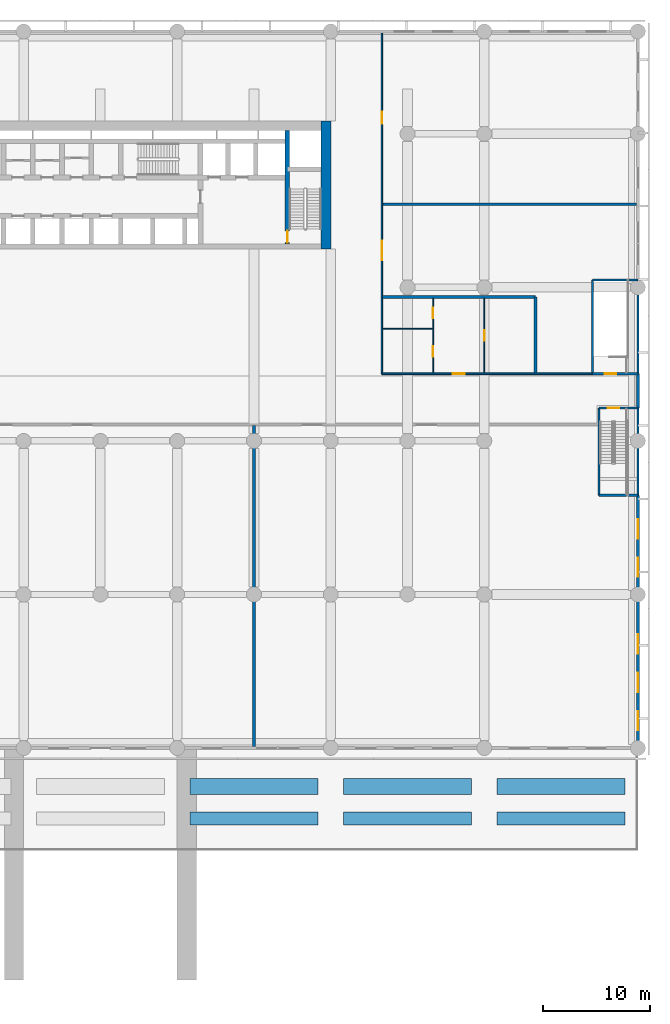
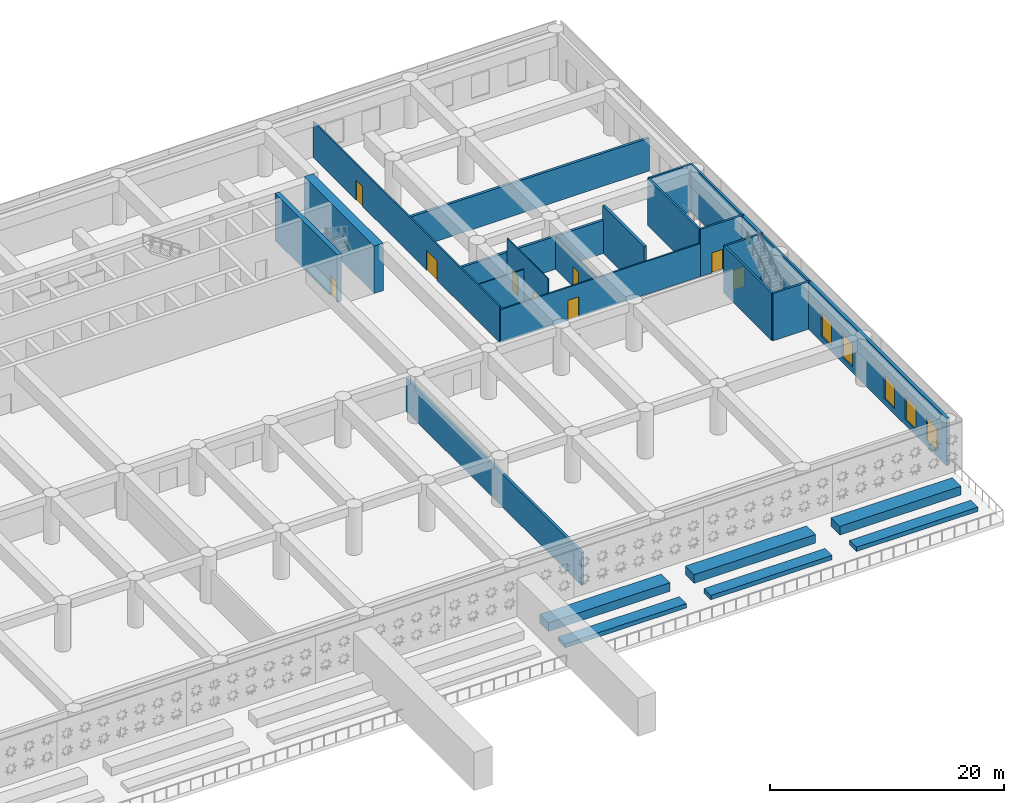
# One storey, part 6 of 24: 27 walls, 9 doors, 5 windows, 14 openings.
"""IFC4 building model written with IfcOpenShell, lengths in metres."""

from ifc_helpers import new_model, si_unit, direction, frame, frame_2d, origin, place, context, subcontext, project, spatial, rectangle, extrude, material, layer, layer_set, type_object, element, fill, save


model = new_model("IFC4")

# Units and contexts
model_context = context("Model", 3, precision=1e-05, world=origin(), true_north=direction((0.0, 1.0)))
body_context = subcontext(model_context, "Body", "Model", "MODEL_VIEW")
ifc_project = project(units=[si_unit("LENGTHUNIT", "METRE"), si_unit("AREAUNIT", "SQUARE_METRE"), si_unit("VOLUMEUNIT", "CUBIC_METRE"), si_unit("PLANEANGLEUNIT", "RADIAN"), si_unit("MASSUNIT", "GRAM", prefix="KILO")], contexts=[model_context])

# Site, building, storey
site_placement = place(None, origin())
site = spatial("IfcSite", under=ifc_project, at=site_placement, CompositionType="ELEMENT")
building_placement = place(site_placement, origin())
building = spatial("IfcBuilding", under=site, at=building_placement, Name="Saffron Iwan Residences", CompositionType="ELEMENT")
storey_placement = place(building_placement, frame((0.0, 0.0, 21.60009765625)))
storey = spatial("IfcBuildingStorey", under=building, at=storey_placement, Name="L04", CompositionType="ELEMENT", Elevation=21.60009765625)

# Wall, opening, door
ifc_material_1 = material(Name="Concrete blockwork", Category="masonry")
ifc_layer_1 = layer(ifc_material_1, 0.14990234375)
ifc_layer_set_1 = layer_set([ifc_layer_1], Name="Concrete blockwork")
wall_type_1 = type_object("IfcWallType", Name="Blockwork partition 150", PredefinedType="PARTITIONING", material=ifc_layer_set_1)
wall_1_placement = place(storey_placement, frame((76.800048828125, 54.300048828125, 0.0), z_axis=(0.0, 0.0, 1.0), x_axis=(1.0, 0.0, 0.0)))
wall_1 = element("IfcWall", 1, at=wall_1_placement, inside=storey, type_object=wall_type_1, Name="W-L04-008", PredefinedType="PARTITIONING", context=body_context, shape_type="SweptSolid", body=[
    extrude(rectangle(XDim=19.75, YDim=0.14990234375, at=frame_2d((9.875, 0.0))), origin(), (0.0, 0.0, 1.0), 3.449951171875),
])
opening_1_placement = place(wall_1_placement, frame((6.64990234375, 0.0, 0.0)))
opening_1 = element("IfcOpeningElement", 2, at=opening_1_placement, cuts=wall_1, Name="Opening L04.14", PredefinedType="OPENING", context=body_context, shape_type="SweptSolid", body=[
    extrude(rectangle(XDim=1.10009765625, YDim=2.10009765625, at=frame_2d((0.550048828125, 1.050048828125))), frame((0.0, 0.0849609375, 0.0), z_axis=(0.0, -1.0, 0.0), x_axis=(1.0, 0.0, 0.0)), (0.0, 0.0, 1.0), 0.169921875),
])
ifc_material_2 = material(Name="Timber", Category="wood")
door_type_1 = type_object("IfcDoorType", Name="Door 1100x2100", OperationType="NOTDEFINED", PredefinedType="DOOR", material=ifc_material_2)
door_1_placement = place(opening_1_placement, origin())
door_1 = element("IfcDoor", 3, at=door_1_placement, inside=storey, type_object=door_type_1, Name="D-L04-014", OperationType="SINGLE_SWING_LEFT", OverallHeight=2.10009765625, OverallWidth=1.10009765625, PredefinedType="DOOR", context=body_context, shape_type="SweptSolid", body=[
    extrude(rectangle(XDim=1.10009765625, YDim=2.10009765625, at=frame_2d((0.550048828125, 1.050048828125))), frame((0.0, 0.02490234375, 0.0), z_axis=(0.0, -1.0, 0.0), x_axis=(1.0, 0.0, 0.0)), (0.0, 0.0, 1.0), 0.050048828125),
])
fill(opening_1, door_1)

# Wall, openings, doors
wall_2_placement = place(storey_placement, frame((76.800048828125, 54.300048828125, 0.0), z_axis=(0.0, 0.0, 1.0), x_axis=(0.0, 1.0, 0.0)))
wall_2 = element("IfcWall", 4, at=wall_2_placement, inside=storey, type_object=wall_type_1, Name="W-L04-028", PredefinedType="PARTITIONING", context=body_context, shape_type="SweptSolid", body=[
    extrude(rectangle(XDim=31.949951171875, YDim=0.14990234375, at=frame_2d((15.97509765625, 0.0))), origin(), (0.0, 0.0, 1.0), 3.75),
])
opening_2_placement = place(wall_2_placement, frame((10.64990234375, 0.0, 0.0)))
opening_2 = element("IfcOpeningElement", 5, at=opening_2_placement, cuts=wall_2, Name="Opening L04.09", PredefinedType="OPENING", context=body_context, shape_type="SweptSolid", body=[
    extrude(rectangle(XDim=1.800048828125, YDim=2.10009765625, at=frame_2d((0.89990234375, 1.050048828125))), frame((0.0, 0.0849609375, 0.0), z_axis=(0.0, -1.0, 0.0), x_axis=(1.0, 0.0, 0.0)), (0.0, 0.0, 1.0), 0.169921875),
])
opening_3_placement = place(wall_2_placement, frame((23.449951171875, 0.0, 0.0)))
opening_3 = element("IfcOpeningElement", 6, at=opening_3_placement, cuts=wall_2, Name="Opening L04.10", PredefinedType="OPENING", context=body_context, shape_type="SweptSolid", body=[
    extrude(rectangle(XDim=1.10009765625, YDim=2.10009765625, at=frame_2d((0.550048828125, 1.050048828125))), frame((0.0, 0.0849609375, 0.0), z_axis=(0.0, -1.0, 0.0), x_axis=(1.0, 0.0, 0.0)), (0.0, 0.0, 1.0), 0.169921875),
])
door_2_placement = place(opening_3_placement, origin())
door_2 = element("IfcDoor", 7, at=door_2_placement, inside=storey, type_object=door_type_1, Name="D-L04-010", OperationType="SINGLE_SWING_RIGHT", OverallHeight=2.10009765625, OverallWidth=1.10009765625, PredefinedType="DOOR", context=body_context, shape_type="SweptSolid", body=[
    extrude(rectangle(XDim=1.10009765625, YDim=2.10009765625, at=frame_2d((0.550048828125, 1.050048828125))), frame((0.0, 0.02490234375, 0.0), z_axis=(0.0, -1.0, 0.0), x_axis=(1.0, 0.0, 0.0)), (0.0, 0.0, 1.0), 0.050048828125),
])
fill(opening_3, door_2)
door_type_2 = type_object("IfcDoorType", Name="Door 1800x2100", OperationType="DOUBLE_DOOR_SINGLE_SWING", PredefinedType="DOOR", material=ifc_material_2)
door_3_placement = place(opening_2_placement, origin())
door_3 = element("IfcDoor", 8, at=door_3_placement, inside=storey, type_object=door_type_2, Name="D-L04-009", OperationType="DOUBLE_DOOR_SINGLE_SWING", OverallHeight=2.10009765625, OverallWidth=1.800048828125, PredefinedType="DOOR", context=body_context, shape_type="SweptSolid", body=[
    extrude(rectangle(XDim=1.800048828125, YDim=2.10009765625, at=frame_2d((0.89990234375, 1.050048828125))), frame((0.0, 0.02490234375, 0.0), z_axis=(0.0, -1.0, 0.0), x_axis=(1.0, 0.0, 0.0)), (0.0, 0.0, 1.0), 0.050048828125),
])
fill(opening_2, door_3)

# Walls
ifc_material_3 = material(Name="Concrete C40/50", Category="concrete")
ifc_layer_2 = layer(ifc_material_3, 0.25)
ifc_layer_set_2 = layer_set([ifc_layer_2], Name="Concrete C40/50")
wall_type_2 = type_object("IfcWallType", Name="Fire compartment wall 250", PredefinedType="SOLIDWALL", material=ifc_layer_set_2)
wall_3_placement = place(storey_placement, frame((76.875, 61.5, 0.0), z_axis=(0.0, 0.0, 1.0), x_axis=(1.0, 0.0, 0.0)))
element("IfcWall", 9, at=wall_3_placement, inside=storey, type_object=wall_type_2, Name="W-L04-012", PredefinedType="SOLIDWALL", context=body_context, shape_type="SweptSolid", body=[
    extrude(rectangle(XDim=14.324951171875, YDim=0.25, at=frame_2d((7.16259765625, 0.0))), origin(), (0.0, 0.0, 1.0), 3.449951171875),
])
wall_4_placement = place(storey_placement, frame((76.875, 70.199951171875, 0.0), z_axis=(0.0, 0.0, 1.0), x_axis=(1.0, 0.0, 0.0)))
element("IfcWall", 10, at=wall_4_placement, inside=storey, type_object=wall_type_2, Name="W-L04-016", PredefinedType="SOLIDWALL", context=body_context, shape_type="SweptSolid", body=[
    extrude(rectangle(XDim=23.77490234375, YDim=0.25, at=frame_2d((11.887451171875, 0.0))), origin(), (0.0, 0.0, 1.0), 3.449951171875),
])
wall_5_placement = place(storey_placement, frame((64.800048828125, 19.35009765625, 0.0), z_axis=(0.0, 0.0, 1.0), x_axis=(0.0, 1.0, 0.0)))
element("IfcWall", 11, at=wall_5_placement, inside=storey, type_object=wall_type_2, Name="W-L04-027", PredefinedType="SOLIDWALL", context=body_context, shape_type="SweptSolid", body=[
    extrude(rectangle(XDim=30.074951171875, YDim=0.25, at=frame_2d((15.03759765625, 0.0))), origin(), (0.0, 0.0, 1.0), 3.449951171875),
])
wall_6_placement = place(storey_placement, frame((91.199951171875, 54.375, 0.0), z_axis=(0.0, 0.0, 1.0), x_axis=(0.0, 1.0, 0.0)))
element("IfcWall", 12, at=wall_6_placement, inside=storey, type_object=wall_type_2, Name="W-L04-031", PredefinedType="SOLIDWALL", context=body_context, shape_type="SweptSolid", body=[
    extrude(rectangle(XDim=7.125, YDim=0.25, at=frame_2d((3.5625, 0.0))), origin(), (0.0, 0.0, 1.0), 4.949951171875),
])
ifc_material_4 = material(Name="Plasterboard")
ifc_layer_3 = layer(ifc_material_4, 0.10009765625)
ifc_layer_set_3 = layer_set([ifc_layer_3], Name="Plasterboard")
wall_type_3 = type_object("IfcWallType", Name="Plasterboard partition 100", PredefinedType="PARTITIONING", material=ifc_layer_set_3)
wall_7_placement = place(storey_placement, frame((76.875, 58.5, 0.0), z_axis=(0.0, 0.0, 1.0), x_axis=(1.0, 0.0, 0.0)))
element("IfcWall", 13, at=wall_7_placement, inside=storey, type_object=wall_type_3, Name="W-L04-011", PredefinedType="PARTITIONING", context=body_context, shape_type="SweptSolid", body=[
    extrude(rectangle(XDim=4.675048828125, YDim=0.10009765625, at=frame_2d((2.33740234375, 0.0))), origin(), (0.0, 0.0, 1.0), 3.449951171875),
])

# Wall, openings, doors
wall_8_placement = place(storey_placement, frame((81.60009765625, 54.375, 0.0), z_axis=(0.0, 0.0, 1.0), x_axis=(0.0, 1.0, 0.0)))
wall_8 = element("IfcWall", 14, at=wall_8_placement, inside=storey, type_object=wall_type_3, Name="W-L04-029", PredefinedType="PARTITIONING", context=body_context, shape_type="SweptSolid", body=[
    extrude(rectangle(XDim=7.0, YDim=0.10009765625, at=frame_2d((3.5, 0.0))), origin(), (0.0, 0.0, 1.0), 4.949951171875),
])
opening_4_placement = place(wall_8_placement, frame((1.52490234375, 0.0, 0.0)))
opening_4 = element("IfcOpeningElement", 15, at=opening_4_placement, cuts=wall_8, Name="Opening L04.11", PredefinedType="OPENING", context=body_context, shape_type="SweptSolid", body=[
    extrude(rectangle(XDim=1.0, YDim=2.10009765625, at=frame_2d((0.5, 1.050048828125))), frame((0.0, 0.06005859375, 0.0), z_axis=(0.0, -1.0, 0.0), x_axis=(1.0, 0.0, 0.0)), (0.0, 0.0, 1.0), 0.1201171875),
])
opening_5_placement = place(wall_8_placement, frame((5.125, 0.0, 0.0)))
opening_5 = element("IfcOpeningElement", 16, at=opening_5_placement, cuts=wall_8, Name="Opening L04.12", PredefinedType="OPENING", context=body_context, shape_type="SweptSolid", body=[
    extrude(rectangle(XDim=1.0, YDim=2.10009765625, at=frame_2d((0.5, 1.050048828125))), frame((0.0, 0.06005859375, 0.0), z_axis=(0.0, -1.0, 0.0), x_axis=(1.0, 0.0, 0.0)), (0.0, 0.0, 1.0), 0.1201171875),
])
door_type_3 = type_object("IfcDoorType", Name="Door 1000x2100", OperationType="NOTDEFINED", PredefinedType="DOOR", material=ifc_material_2)
door_4_placement = place(opening_4_placement, origin())
door_4 = element("IfcDoor", 17, at=door_4_placement, inside=storey, type_object=door_type_3, Name="D-L04-011", OperationType="SINGLE_SWING_LEFT", OverallHeight=2.10009765625, OverallWidth=1.0, PredefinedType="DOOR", context=body_context, shape_type="SweptSolid", body=[
    extrude(rectangle(XDim=1.0, YDim=2.10009765625, at=frame_2d((0.5, 1.050048828125))), frame((0.0, 0.02490234375, 0.0), z_axis=(0.0, -1.0, 0.0), x_axis=(1.0, 0.0, 0.0)), (0.0, 0.0, 1.0), 0.050048828125),
])
fill(opening_4, door_4)
door_5_placement = place(opening_5_placement, origin())
door_5 = element("IfcDoor", 18, at=door_5_placement, inside=storey, type_object=door_type_3, Name="D-L04-012", OperationType="SINGLE_SWING_RIGHT", OverallHeight=2.10009765625, OverallWidth=1.0, PredefinedType="DOOR", context=body_context, shape_type="SweptSolid", body=[
    extrude(rectangle(XDim=1.0, YDim=2.10009765625, at=frame_2d((0.5, 1.050048828125))), frame((0.0, 0.02490234375, 0.0), z_axis=(0.0, -1.0, 0.0), x_axis=(1.0, 0.0, 0.0)), (0.0, 0.0, 1.0), 0.050048828125),
])
fill(opening_5, door_5)

# Wall, opening, door
wall_9_placement = place(storey_placement, frame((86.39990234375, 54.375, 0.0), z_axis=(0.0, 0.0, 1.0), x_axis=(0.0, 1.0, 0.0)))
wall_9 = element("IfcWall", 19, at=wall_9_placement, inside=storey, type_object=wall_type_3, Name="W-L04-030", PredefinedType="PARTITIONING", context=body_context, shape_type="SweptSolid", body=[
    extrude(rectangle(XDim=7.0, YDim=0.10009765625, at=frame_2d((3.5, 0.0))), origin(), (0.0, 0.0, 1.0), 3.449951171875),
])
opening_6_placement = place(wall_9_placement, frame((3.02490234375, 0.0, 0.0)))
opening_6 = element("IfcOpeningElement", 20, at=opening_6_placement, cuts=wall_9, Name="Opening L04.13", PredefinedType="OPENING", context=body_context, shape_type="SweptSolid", body=[
    extrude(rectangle(XDim=1.0, YDim=2.10009765625, at=frame_2d((0.5, 1.050048828125))), frame((0.0, 0.06005859375, 0.0), z_axis=(0.0, -1.0, 0.0), x_axis=(1.0, 0.0, 0.0)), (0.0, 0.0, 1.0), 0.1201171875),
])
door_6_placement = place(opening_6_placement, origin())
door_6 = element("IfcDoor", 21, at=door_6_placement, inside=storey, type_object=door_type_3, Name="D-L04-013", OperationType="SINGLE_SWING_RIGHT", OverallHeight=2.10009765625, OverallWidth=1.0, PredefinedType="DOOR", context=body_context, shape_type="SweptSolid", body=[
    extrude(rectangle(XDim=1.0, YDim=2.10009765625, at=frame_2d((0.5, 1.050048828125))), frame((0.0, 0.02490234375, 0.0), z_axis=(0.0, -1.0, 0.0), x_axis=(1.0, 0.0, 0.0)), (0.0, 0.0, 1.0), 0.050048828125),
])
fill(opening_6, door_6)

# Wall, openings, windows
ifc_material_5 = material(Name="Precast concrete C40/50", Category="concrete")
ifc_layer_4 = layer(ifc_material_5, 0.300048828125)
ifc_layer_set_4 = layer_set([ifc_layer_4], Name="Precast concrete C40/50")
wall_type_4 = type_object("IfcWallType", Name="Podium external wall 300", PredefinedType="SOLIDWALL", material=ifc_layer_set_4)
wall_10_placement = place(storey_placement, frame((100.800048828125, 19.199951171875, 0.0), z_axis=(0.0, 0.0, 1.0), x_axis=(0.0, 1.0, 0.0)))
wall_10 = element("IfcWall", 22, at=wall_10_placement, inside=storey, type_object=wall_type_4, Name="W-L04-034", PredefinedType="SOLIDWALL", context=body_context, shape_type="SweptSolid", body=[
    extrude(rectangle(XDim=23.699951171875, YDim=0.300048828125, at=frame_2d((11.85009765625, 0.0))), origin(), (0.0, 0.0, 1.0), 4.949951171875),
])
opening_7_placement = place(wall_10_placement, frame((1.64990234375, 0.0, 0.60009765625)))
opening_7 = element("IfcOpeningElement", 23, at=opening_7_placement, cuts=wall_10, Name="Opening W7", PredefinedType="OPENING", context=body_context, shape_type="SweptSolid", body=[
    extrude(rectangle(XDim=1.800048828125, YDim=2.39990234375, at=frame_2d((0.89990234375, 1.199951171875))), frame((0.0, 0.16015625, 0.0), z_axis=(0.0, -1.0, 0.0), x_axis=(1.0, 0.0, 0.0)), (0.0, 0.0, 1.0), 0.320068359375),
])
opening_8_placement = place(wall_10_placement, frame((5.25, 0.0, 0.60009765625)))
opening_8 = element("IfcOpeningElement", 24, at=opening_8_placement, cuts=wall_10, Name="Opening W7", PredefinedType="OPENING", context=body_context, shape_type="SweptSolid", body=[
    extrude(rectangle(XDim=1.800048828125, YDim=2.39990234375, at=frame_2d((0.89990234375, 1.199951171875))), frame((0.0, 0.16015625, 0.0), z_axis=(0.0, -1.0, 0.0), x_axis=(1.0, 0.0, 0.0)), (0.0, 0.0, 1.0), 0.320068359375),
])
opening_9_placement = place(wall_10_placement, frame((8.85009765625, 0.0, 0.60009765625)))
opening_9 = element("IfcOpeningElement", 25, at=opening_9_placement, cuts=wall_10, Name="Opening W7", PredefinedType="OPENING", context=body_context, shape_type="SweptSolid", body=[
    extrude(rectangle(XDim=1.800048828125, YDim=2.39990234375, at=frame_2d((0.89990234375, 1.199951171875))), frame((0.0, 0.16015625, 0.0), z_axis=(0.0, -1.0, 0.0), x_axis=(1.0, 0.0, 0.0)), (0.0, 0.0, 1.0), 0.320068359375),
])
opening_10_placement = place(wall_10_placement, frame((16.050048828125, 0.0, 0.60009765625)))
opening_10 = element("IfcOpeningElement", 26, at=opening_10_placement, cuts=wall_10, Name="Opening W7", PredefinedType="OPENING", context=body_context, shape_type="SweptSolid", body=[
    extrude(rectangle(XDim=1.800048828125, YDim=2.39990234375, at=frame_2d((0.89990234375, 1.199951171875))), frame((0.0, 0.16015625, 0.0), z_axis=(0.0, -1.0, 0.0), x_axis=(1.0, 0.0, 0.0)), (0.0, 0.0, 1.0), 0.320068359375),
])
opening_11_placement = place(wall_10_placement, frame((19.64990234375, 0.0, 0.60009765625)))
opening_11 = element("IfcOpeningElement", 27, at=opening_11_placement, cuts=wall_10, Name="Opening W7", PredefinedType="OPENING", context=body_context, shape_type="SweptSolid", body=[
    extrude(rectangle(XDim=1.800048828125, YDim=2.39990234375, at=frame_2d((0.89990234375, 1.199951171875))), frame((0.0, 0.16015625, 0.0), z_axis=(0.0, -1.0, 0.0), x_axis=(1.0, 0.0, 0.0)), (0.0, 0.0, 1.0), 0.320068359375),
])
ifc_material_6 = material(Name="Clear glass, laminated double glazed", Category="glass")
window_type = type_object("IfcWindowType", Name="WINDOW 1800 x 2400 PODIUM", PartitioningType="DOUBLE_PANEL_VERTICAL", PredefinedType="WINDOW", material=ifc_material_6)
window_1_placement = place(opening_7_placement, origin())
window_1 = element("IfcWindow", 28, at=window_1_placement, inside=storey, type_object=window_type, Name="Window L04 W-L04-034.0", OverallHeight=2.39990234375, OverallWidth=1.800048828125, PartitioningType="DOUBLE_PANEL_VERTICAL", PredefinedType="WINDOW", context=body_context, shape_type="SweptSolid", body=[
    extrude(rectangle(XDim=1.800048828125, YDim=2.39990234375, at=frame_2d((0.89990234375, 1.199951171875))), frame((0.0, 0.030029296875, 0.0), z_axis=(0.0, -1.0, 0.0), x_axis=(1.0, 0.0, 0.0)), (0.0, 0.0, 1.0), 0.06005859375),
])
fill(opening_7, window_1)
window_2_placement = place(opening_8_placement, origin())
window_2 = element("IfcWindow", 29, at=window_2_placement, inside=storey, type_object=window_type, Name="Window L04 W-L04-034.1", OverallHeight=2.39990234375, OverallWidth=1.800048828125, PartitioningType="DOUBLE_PANEL_VERTICAL", PredefinedType="WINDOW", context=body_context, shape_type="SweptSolid", body=[
    extrude(rectangle(XDim=1.800048828125, YDim=2.39990234375, at=frame_2d((0.89990234375, 1.199951171875))), frame((0.0, 0.030029296875, 0.0), z_axis=(0.0, -1.0, 0.0), x_axis=(1.0, 0.0, 0.0)), (0.0, 0.0, 1.0), 0.06005859375),
])
fill(opening_8, window_2)
window_3_placement = place(opening_9_placement, origin())
window_3 = element("IfcWindow", 30, at=window_3_placement, inside=storey, type_object=window_type, Name="Window L04 W-L04-034.2", OverallHeight=2.39990234375, OverallWidth=1.800048828125, PartitioningType="DOUBLE_PANEL_VERTICAL", PredefinedType="WINDOW", context=body_context, shape_type="SweptSolid", body=[
    extrude(rectangle(XDim=1.800048828125, YDim=2.39990234375, at=frame_2d((0.89990234375, 1.199951171875))), frame((0.0, 0.030029296875, 0.0), z_axis=(0.0, -1.0, 0.0), x_axis=(1.0, 0.0, 0.0)), (0.0, 0.0, 1.0), 0.06005859375),
])
fill(opening_9, window_3)
window_4_placement = place(opening_10_placement, origin())
window_4 = element("IfcWindow", 31, at=window_4_placement, inside=storey, type_object=window_type, Name="Window L04 W-L04-034.3", OverallHeight=2.39990234375, OverallWidth=1.800048828125, PartitioningType="DOUBLE_PANEL_VERTICAL", PredefinedType="WINDOW", context=body_context, shape_type="SweptSolid", body=[
    extrude(rectangle(XDim=1.800048828125, YDim=2.39990234375, at=frame_2d((0.89990234375, 1.199951171875))), frame((0.0, 0.030029296875, 0.0), z_axis=(0.0, -1.0, 0.0), x_axis=(1.0, 0.0, 0.0)), (0.0, 0.0, 1.0), 0.06005859375),
])
fill(opening_10, window_4)
window_5_placement = place(opening_11_placement, origin())
window_5 = element("IfcWindow", 32, at=window_5_placement, inside=storey, type_object=window_type, Name="Window L04 W-L04-034.4", OverallHeight=2.39990234375, OverallWidth=1.800048828125, PartitioningType="DOUBLE_PANEL_VERTICAL", PredefinedType="WINDOW", context=body_context, shape_type="SweptSolid", body=[
    extrude(rectangle(XDim=1.800048828125, YDim=2.39990234375, at=frame_2d((0.89990234375, 1.199951171875))), frame((0.0, 0.030029296875, 0.0), z_axis=(0.0, -1.0, 0.0), x_axis=(1.0, 0.0, 0.0)), (0.0, 0.0, 1.0), 0.06005859375),
])
fill(opening_11, window_5)

# Walls
wall_11_placement = place(storey_placement, frame((100.800048828125, 51.10009765625, 0.0), z_axis=(0.0, 0.0, 1.0), x_axis=(0.0, 1.0, 0.0)))
element("IfcWall", 33, at=wall_11_placement, inside=storey, type_object=wall_type_4, Name="W-L04-035", PredefinedType="SOLIDWALL", context=body_context, shape_type="SweptSolid", body=[
    extrude(rectangle(XDim=3.199951171875, YDim=0.300048828125, at=frame_2d((1.60009765625, 0.0))), origin(), (0.0, 0.0, 1.0), 4.949951171875),
])
ifc_layer_5 = layer(ifc_material_3, 0.199951171875)
ifc_layer_set_5 = layer_set([ifc_layer_5], Name="Concrete C40/50")
wall_type_5 = type_object("IfcWallType", Name="Reinforced concrete stair wall 200", PredefinedType="SOLIDWALL", material=ifc_layer_set_5)
wall_12_placement = place(storey_placement, frame((97.14990234375, 42.89990234375, 0.0), z_axis=(0.0, 0.0, 1.0), x_axis=(1.0, 0.0, 0.0)))
element("IfcWall", 34, at=wall_12_placement, inside=storey, type_object=wall_type_5, Name="W-L04-003", PredefinedType="SOLIDWALL", context=body_context, shape_type="SweptSolid", body=[
    extrude(rectangle(XDim=3.650146484375, YDim=0.199951171875, at=frame_2d((1.8251953125, 0.0))), origin(), (0.0, 0.0, 1.0), 4.949951171875),
])

# Wall, opening, door
wall_13_placement = place(storey_placement, frame((97.14990234375, 51.10009765625, 0.0), z_axis=(0.0, 0.0, 1.0), x_axis=(1.0, 0.0, 0.0)))
wall_13 = element("IfcWall", 35, at=wall_13_placement, inside=storey, type_object=wall_type_5, Name="W-L04-006", PredefinedType="SOLIDWALL", context=body_context, shape_type="SweptSolid", body=[
    extrude(rectangle(XDim=3.650146484375, YDim=0.199951171875, at=frame_2d((1.8251953125, 0.0))), origin(), (0.0, 0.0, 1.0), 4.949951171875),
])
opening_12_placement = place(wall_13_placement, frame((0.824951171875, 0.0, 0.0)))
opening_12 = element("IfcOpeningElement", 36, at=opening_12_placement, cuts=wall_13, Name="Opening L04.18", PredefinedType="OPENING", context=body_context, shape_type="SweptSolid", body=[
    extrude(rectangle(XDim=1.10009765625, YDim=2.10009765625, at=frame_2d((0.550048828125, 1.050048828125))), frame((0.0, 0.10986328125, 0.0), z_axis=(0.0, -1.0, 0.0), x_axis=(1.0, 0.0, 0.0)), (0.0, 0.0, 1.0), 0.219970703125),
])
ifc_material_7 = material(Name="Steel", Category="steel")
door_type_4 = type_object("IfcDoorType", Name="Fire door 1100x2100", OperationType="NOTDEFINED", PredefinedType="DOOR", material=ifc_material_7)
door_7_placement = place(opening_12_placement, origin())
door_7 = element("IfcDoor", 37, at=door_7_placement, inside=storey, type_object=door_type_4, Name="D-L04-018", OperationType="SINGLE_SWING_LEFT", OverallHeight=2.10009765625, OverallWidth=1.10009765625, PredefinedType="DOOR", context=body_context, shape_type="SweptSolid", body=[
    extrude(rectangle(XDim=1.10009765625, YDim=2.10009765625, at=frame_2d((0.550048828125, 1.050048828125))), frame((0.0, 0.02490234375, 0.0), z_axis=(0.0, -1.0, 0.0), x_axis=(1.0, 0.0, 0.0)), (0.0, 0.0, 1.0), 0.050048828125),
])
fill(opening_12, door_7)

wall_14_placement = place(storey_placement, frame((96.550048828125, 54.300048828125, 0.0), z_axis=(0.0, 0.0, 1.0), x_axis=(1.0, 0.0, 0.0)))
wall_14 = element("IfcWall", 38, at=wall_14_placement, inside=storey, type_object=wall_type_5, Name="W-L04-010", PredefinedType="SOLIDWALL", context=body_context, shape_type="SweptSolid", body=[
    extrude(rectangle(XDim=4.25, YDim=0.199951171875, at=frame_2d((2.125, 0.0))), origin(), (0.0, 0.0, 1.0), 4.949951171875),
])
opening_13_placement = place(wall_14_placement, frame((1.125, 0.0, 0.0)))
opening_13 = element("IfcOpeningElement", 39, at=opening_13_placement, cuts=wall_14, Name="Opening L04.20", PredefinedType="OPENING", context=body_context, shape_type="SweptSolid", body=[
    extrude(rectangle(XDim=1.10009765625, YDim=2.10009765625, at=frame_2d((0.550048828125, 1.050048828125))), frame((0.0, 0.10986328125, 0.0), z_axis=(0.0, -1.0, 0.0), x_axis=(1.0, 0.0, 0.0)), (0.0, 0.0, 1.0), 0.219970703125),
])
door_8_placement = place(opening_13_placement, origin())
door_8 = element("IfcDoor", 40, at=door_8_placement, inside=storey, type_object=door_type_4, Name="D-L04-020", OperationType="SINGLE_SWING_LEFT", OverallHeight=2.10009765625, OverallWidth=1.10009765625, PredefinedType="DOOR", context=body_context, shape_type="SweptSolid", body=[
    extrude(rectangle(XDim=1.10009765625, YDim=2.10009765625, at=frame_2d((0.550048828125, 1.050048828125))), frame((0.0, 0.02490234375, 0.0), z_axis=(0.0, -1.0, 0.0), x_axis=(1.0, 0.0, 0.0)), (0.0, 0.0, 1.0), 0.050048828125),
])
fill(opening_13, door_8)

# Walls
wall_15_placement = place(storey_placement, frame((96.550048828125, 63.10009765625, 0.0), z_axis=(0.0, 0.0, 1.0), x_axis=(1.0, 0.0, 0.0)))
element("IfcWall", 41, at=wall_15_placement, inside=storey, type_object=wall_type_5, Name="W-L04-014", PredefinedType="SOLIDWALL", context=body_context, shape_type="SweptSolid", body=[
    extrude(rectangle(XDim=4.25, YDim=0.199951171875, at=frame_2d((2.125, 0.0))), origin(), (0.0, 0.0, 1.0), 4.949951171875),
])
wall_16_placement = place(storey_placement, frame((96.550048828125, 54.300048828125, 0.0), z_axis=(0.0, 0.0, 1.0), x_axis=(0.0, 1.0, 0.0)))
element("IfcWall", 42, at=wall_16_placement, inside=storey, type_object=wall_type_5, Name="W-L04-032", PredefinedType="SOLIDWALL", context=body_context, shape_type="SweptSolid", body=[
    extrude(rectangle(XDim=8.800048828125, YDim=0.199951171875, at=frame_2d((4.39990234375, 0.0))), origin(), (0.0, 0.0, 1.0), 4.949951171875),
])
for number, where, z_axis, x_axis, name in (
    (43, (97.14990234375, 42.89990234375, 0.0), (0.0, 0.0, 1.0), (0.0, 1.0, 0.0), "W-L04-033"),
    (44, (100.800048828125, 42.89990234375, 0.0), (0.0, 0.0, 1.0), (0.0, 1.0, 0.0), "W-L04-037"),
):
    element("IfcWall", number, at=place(storey_placement, frame(where, z_axis=z_axis, x_axis=x_axis)), inside=storey, type_object=wall_type_5, Name=name, PredefinedType="SOLIDWALL", context=body_context, shape_type="SweptSolid", body=[
        extrude(rectangle(XDim=8.2001953125, YDim=0.199951171875, at=frame_2d((4.10009765625, 0.0))), origin(), (0.0, 0.0, 1.0), 4.949951171875),
    ])
wall_17_placement = place(storey_placement, frame((100.800048828125, 54.300048828125, 0.0), z_axis=(0.0, 0.0, 1.0), x_axis=(0.0, 1.0, 0.0)))
element("IfcWall", 45, at=wall_17_placement, inside=storey, type_object=wall_type_5, Name="W-L04-038", PredefinedType="SOLIDWALL", context=body_context, shape_type="SweptSolid", body=[
    extrude(rectangle(XDim=8.800048828125, YDim=0.199951171875, at=frame_2d((4.39990234375, 0.0))), origin(), (0.0, 0.0, 1.0), 4.949951171875),
])
ifc_layer_6 = layer(ifc_material_3, 1.199951171875)
ifc_layer_set_6 = layer_set([ifc_layer_6], Name="Concrete C40/50")
wall_type_6 = type_object("IfcWallType", Name="Terrace planter wall 1200", PredefinedType="SOLIDWALL", material=ifc_layer_set_6)
for number, where, z_axis, x_axis, name in (
    (46, (58.800048828125, 12.60009765625, 0.0), (0.0, 0.0, 1.0), (1.0, 0.0, 0.0), "PLANTER terrace L04 9"),
    (47, (73.199951171875, 12.60009765625, 0.0), (0.0, 0.0, 1.0), (1.0, 0.0, 0.0), "PLANTER terrace L04 11"),
    (48, (87.60009765625, 12.60009765625, 0.0), (0.0, 0.0, 1.0), (1.0, 0.0, 0.0), "PLANTER terrace L04 13"),
):
    element("IfcWall", number, at=place(storey_placement, frame(where, z_axis=z_axis, x_axis=x_axis)), inside=storey, type_object=wall_type_6, Name=name, PredefinedType="SOLIDWALL", context=body_context, shape_type="SweptSolid", body=[
        extrude(rectangle(XDim=12.0, YDim=1.199951171875, at=frame_2d((6.0, 0.0))), origin(), (0.0, 0.0, 1.0), 0.449951171875),
    ])
ifc_layer_7 = layer(ifc_material_3, 1.5)
ifc_layer_set_7 = layer_set([ifc_layer_7], Name="Concrete C40/50")
wall_type_7 = type_object("IfcWallType", Name="Terrace planter wall 1500", PredefinedType="SOLIDWALL", material=ifc_layer_set_7)
for number, where, z_axis, x_axis, name in (
    (49, (58.800048828125, 15.60009765625, 0.0), (0.0, 0.0, 1.0), (1.0, 0.0, 0.0), "PLANTER terrace L04 10"),
    (50, (73.199951171875, 15.60009765625, 0.0), (0.0, 0.0, 1.0), (1.0, 0.0, 0.0), "PLANTER terrace L04 12"),
    (51, (87.60009765625, 15.60009765625, 0.0), (0.0, 0.0, 1.0), (1.0, 0.0, 0.0), "PLANTER terrace L04 14"),
):
    element("IfcWall", number, at=place(storey_placement, frame(where, z_axis=z_axis, x_axis=x_axis)), inside=storey, type_object=wall_type_7, Name=name, PredefinedType="SOLIDWALL", context=body_context, shape_type="SweptSolid", body=[
        extrude(rectangle(XDim=12.0, YDim=1.5, at=frame_2d((6.0, 0.0))), origin(), (0.0, 0.0, 1.0), 0.89990234375),
    ])

# Wall, opening, door
ifc_material_8 = material(Name="Concrete C60/75", Category="concrete")
ifc_layer_8 = layer(ifc_material_8, 0.449951171875)
ifc_layer_set_8 = layer_set([ifc_layer_8], Name="Concrete C60/75")
wall_type_8 = type_object("IfcWallType", Name="WALL CORE 450 C60/75 4950 HIGH", PredefinedType="SHEAR", material=ifc_layer_set_8)
wall_18_placement = place(storey_placement, frame((67.925048828125, 66.449951171875, 0.0), z_axis=(0.0, 0.0, 1.0), x_axis=(0.0, 1.0, 0.0)))
wall_18 = element("IfcWall", 52, at=wall_18_placement, inside=storey, type_object=wall_type_8, Name="Core wall", PredefinedType="SHEAR", context=body_context, shape_type="SweptSolid", body=[
    extrude(rectangle(XDim=10.650146484375, YDim=0.449951171875, at=frame_2d((5.3251953125, 0.0))), origin(), (0.0, 0.0, 1.0), 4.949951171875),
])
opening_14_placement = place(wall_18_placement, frame((0.14990234375, 0.0, 0.0)))
opening_14 = element("IfcOpeningElement", 53, at=opening_14_placement, cuts=wall_18, Name="Opening SD", PredefinedType="OPENING", context=body_context, shape_type="SweptSolid", body=[
    extrude(rectangle(XDim=1.10009765625, YDim=2.10009765625, at=frame_2d((0.550048828125, 1.050048828125))), frame((0.0, 0.23486328125, 0.0), z_axis=(0.0, -1.0, 0.0), x_axis=(1.0, 0.0, 0.0)), (0.0, 0.0, 1.0), 0.469970703125),
])
ifc_material_9 = material(Name="Steel fire door", Category="steel")
door_type_5 = type_object("IfcDoorType", Name="Stair door 1100", OperationType="NOTDEFINED", PredefinedType="DOOR", material=ifc_material_9)
door_9_placement = place(opening_14_placement, origin())
door_9 = element("IfcDoor", 54, at=door_9_placement, inside=storey, type_object=door_type_5, Name="Stair door ST-E", OperationType="SINGLE_SWING_LEFT", OverallHeight=2.10009765625, OverallWidth=1.10009765625, PredefinedType="DOOR", context=body_context, shape_type="SweptSolid", body=[
    extrude(rectangle(XDim=1.10009765625, YDim=2.10009765625, at=frame_2d((0.550048828125, 1.050048828125))), frame((0.0, 0.02490234375, 0.0), z_axis=(0.0, -1.0, 0.0), x_axis=(1.0, 0.0, 0.0)), (0.0, 0.0, 1.0), 0.050048828125),
])
fill(opening_14, door_9)

# Wall
ifc_layer_9 = layer(ifc_material_8, 0.89990234375)
ifc_layer_set_9 = layer_set([ifc_layer_9], Name="Concrete C60/75")
wall_type_9 = type_object("IfcWallType", Name="WALL CORE 900 C60/75 4950 HIGH", PredefinedType="SHEAR", material=ifc_layer_set_9)
wall_19_placement = place(storey_placement, frame((71.550048828125, 66.0, 0.0), z_axis=(0.0, 0.0, 1.0), x_axis=(0.0, 1.0, 0.0)))
element("IfcWall", 55, at=wall_19_placement, inside=storey, type_object=wall_type_9, Name="Core wall", PredefinedType="SHEAR", context=body_context, shape_type="SweptSolid", body=[
    extrude(rectangle(XDim=12.0, YDim=0.89990234375, at=frame_2d((6.0, 0.0))), origin(), (0.0, 0.0, 1.0), 4.949951171875),
])

save(model, "model.ifc")
